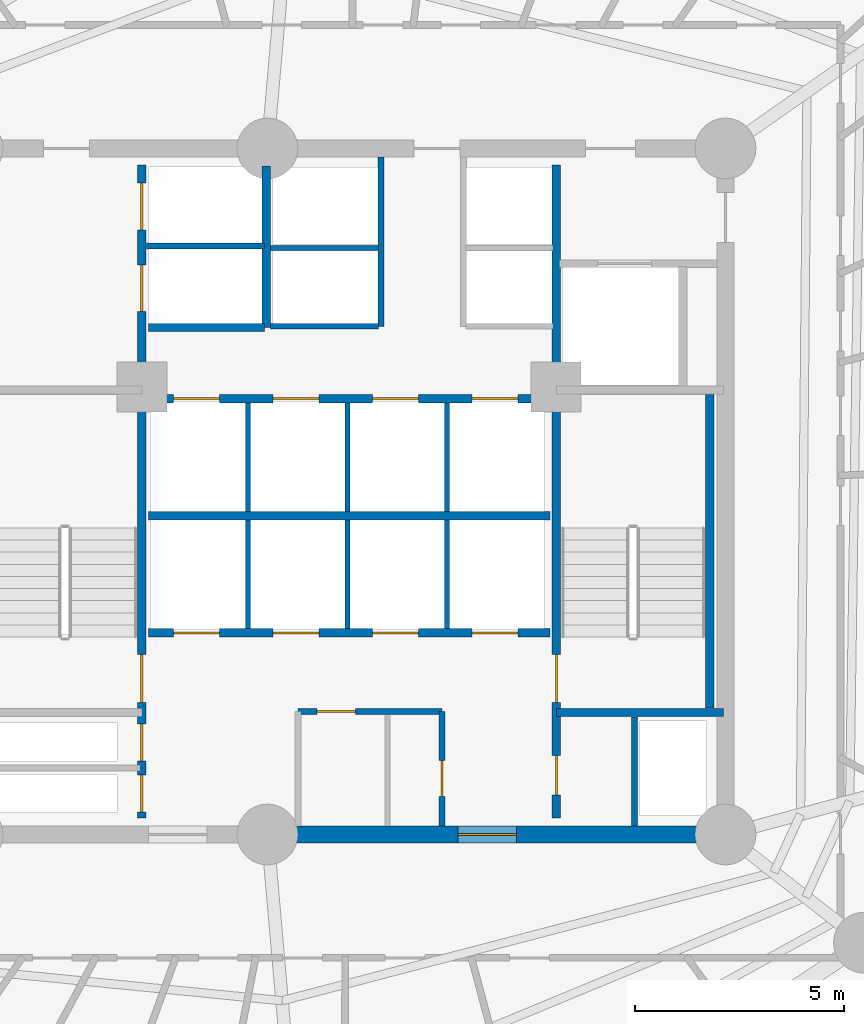
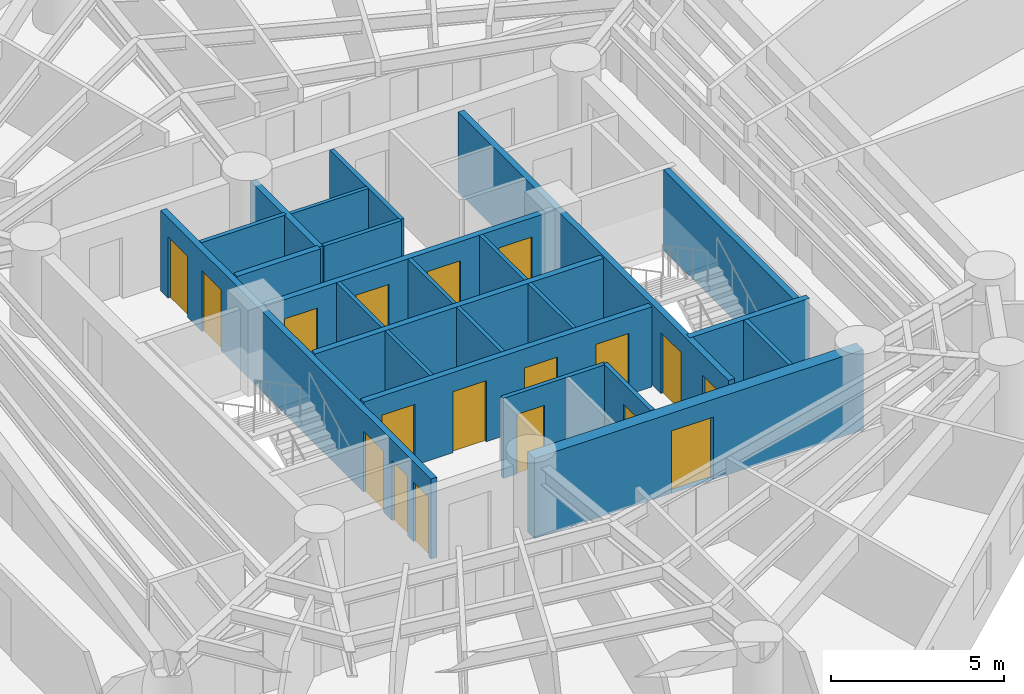
# One storey, part 4 of 8: 23 walls, 18 doors, 18 openings.
"""IFC4 building model written with IfcOpenShell, lengths in metres."""

from ifc_helpers import new_model, si_unit, direction, frame, frame_2d, origin, origin_with_axes, place, context, subcontext, project, spatial, rectangle, extrude, source, transform, mapped, material, layer, layer_set, type_object, element, fill, save


model = new_model("IFC4")

# Units and contexts
model_context = context("Model", 3, precision=1e-05, world=origin(), true_north=direction((0.0, 1.0)))
body_context = subcontext(model_context, "Body", "Model", "MODEL_VIEW")
ifc_project = project(units=[si_unit("LENGTHUNIT", "METRE"), si_unit("AREAUNIT", "SQUARE_METRE"), si_unit("VOLUMEUNIT", "CUBIC_METRE"), si_unit("PLANEANGLEUNIT", "RADIAN"), si_unit("MASSUNIT", "GRAM", prefix="KILO")], contexts=[model_context])

# Site, building, storey
site_placement = place(None, origin())
site = spatial("IfcSite", under=ifc_project, at=site_placement, CompositionType="ELEMENT")
building_placement = place(site_placement, origin())
building = spatial("IfcBuilding", under=site, at=building_placement, Name="Karkom Vertical University and Central Library", CompositionType="ELEMENT")
storey_placement = place(building_placement, frame((0.0, 0.0, 99.25)))
storey = spatial("IfcBuildingStorey", under=building, at=storey_placement, Name="L26", CompositionType="ELEMENT", Elevation=99.25)

# Walls
ifc_material_1 = material(Name="Moisture-resistant drywall 120mm", Category="gypsum")
ifc_layer_1 = layer(ifc_material_1, 0.1201171875)
ifc_layer_set_1 = layer_set([ifc_layer_1], Name="Moisture-resistant drywall 120mm")
wall_type_1 = type_object("IfcWallType", Name="INT-WL-INT-120H", PredefinedType="PARTITIONING", material=ifc_layer_set_1)
for number, where, z_axis, x_axis, name in (
    (1, (26.080078125, 23.219970703125, 0.0), (0.0, 0.0, 1.0), (0.0, 1.0, 0.0), "Level 26 Interior Partition Wall L26-CW-PL-DIV1"),
    (2, (28.4599609375, 23.219970703125, 0.0), (0.0, 0.0, 1.0), (0.0, 1.0, 0.0), "Level 26 Interior Partition Wall L26-CW-PL-DIV2"),
    (3, (30.840087890625, 23.219970703125, 0.0), (0.0, 0.0, 1.0), (0.0, 1.0, 0.0), "Level 26 Interior Partition Wall L26-CW-PL-DIV3"),
    (4, (26.080078125, 26.02001953125, 0.0), (0.0, 0.0, 1.0), (0.0, 1.0, 0.0), "Level 26 Interior Partition Wall L26-CW-PM-DIV1"),
    (5, (28.4599609375, 26.02001953125, 0.0), (0.0, 0.0, 1.0), (0.0, 1.0, 0.0), "Level 26 Interior Partition Wall L26-CW-PM-DIV2"),
    (6, (30.840087890625, 26.02001953125, 0.0), (0.0, 0.0, 1.0), (0.0, 1.0, 0.0), "Level 26 Interior Partition Wall L26-CW-PM-DIV3"),
):
    element("IfcWall", number, at=place(storey_placement, frame(where, z_axis=z_axis, x_axis=x_axis)), inside=storey, type_object=wall_type_1, Name=name, PredefinedType="PARTITIONING", context=body_context, shape_type="SweptSolid", body=[
        extrude(rectangle(XDim=2.60009765625, YDim=0.1201171875, at=frame_2d((1.300048828125, 0.0))), origin(), (0.0, 0.0, 1.0), 2.824951171875),
    ])
wall_1_placement = place(storey_placement, frame((26.6201171875, 32.320068359375, 0.0), z_axis=(0.0, 0.0, 1.0), x_axis=(1.0, 0.0, 0.0)))
element("IfcWall", 7, at=wall_1_placement, inside=storey, type_object=wall_type_1, Name="Level 26 Interior Partition Wall L26-CW-PH-MW", PredefinedType="PARTITIONING", context=body_context, shape_type="SweptSolid", body=[
    extrude(rectangle(XDim=2.579833984375, YDim=0.1201171875, at=frame_2d((1.2900390625, 0.0))), origin(), (0.0, 0.0, 1.0), 2.824951171875),
])

# Wall, opening, door
ifc_material_2 = material(Name="Metal-stud gypsum partition 140mm", Category="gypsum")
ifc_layer_2 = layer(ifc_material_2, 0.139892578125)
ifc_layer_set_2 = layer_set([ifc_layer_2], Name="Metal-stud gypsum partition 140mm")
wall_type_2 = type_object("IfcWallType", Name="INT-WL-SUB-140", PredefinedType="PARTITIONING", material=ifc_layer_set_2)
wall_2_placement = place(storey_placement, frame((27.280029296875, 21.239990234375, 0.0), z_axis=(0.0, 0.0, 1.0), x_axis=(1.0, 0.0, 0.0)))
wall_2 = element("IfcWall", 8, at=wall_2_placement, inside=storey, type_object=wall_type_2, Name="Level 26 Interior Partition Wall L26-CW-KBAY-N", PredefinedType="PARTITIONING", context=body_context, shape_type="SweptSolid", body=[
    extrude(rectangle(XDim=3.43994140625, YDim=0.139892578125, at=frame_2d((1.719970703125, 0.0))), origin(), (0.0, 0.0, 1.0), 2.824951171875),
])
opening_1_placement = place(wall_2_placement, frame((0.449951171875, 0.0, 0.0)))
opening_1 = element("IfcOpeningElement", 9, at=opening_1_placement, cuts=wall_2, Name="Opening D-SVC1", PredefinedType="OPENING", context=body_context, shape_type="SweptSolid", body=[
    extrude(rectangle(XDim=0.919921875, YDim=2.10009765625, at=frame_2d((0.4599609375, 1.050048828125))), frame((0.0, 0.080078125, 0.0), z_axis=(0.0, -1.0, 0.0), x_axis=(1.0, 0.0, 0.0)), (0.0, 0.0, 1.0), 0.159912109375),
])
ifc_material_3 = material(Name="Painted timber service door", Category="wood")
door_type_1 = type_object("IfcDoorType", Name="INT-DR-SVC1", OperationType="NOTDEFINED", PredefinedType="DOOR", material=ifc_material_3)
shared_shape_1 = source(origin_with_axes(), body_context, "Body", "SweptSolid", [
    extrude(rectangle(XDim=0.919921875, YDim=2.10009765625, at=frame_2d((0.4599609375, 1.050048828125))), frame((0.0, 0.02490234375, 0.0), z_axis=(0.0, -1.0, 0.0), x_axis=(1.0, 0.0, 0.0)), (0.0, 0.0, 1.0), 0.050048828125),
])
door_1_placement = place(opening_1_placement, origin())
door_1 = element("IfcDoor", 10, at=door_1_placement, inside=storey, type_object=door_type_1, Name="Level 26 Copy Room Door", OperationType="SINGLE_SWING_RIGHT", OverallHeight=2.10009765625, OverallWidth=0.919921875, PredefinedType="DOOR", context=body_context, shape_type="MappedRepresentation", body=[
    mapped(shared_shape_1, transform((0.0, 0.0, 0.0), scale=1.0)),
])
fill(opening_1, door_1)

wall_3_placement = place(storey_placement, frame((30.719970703125, 18.507080078125, 0.0), z_axis=(0.0, 0.0, 1.0), x_axis=(0.0, 1.0, 0.0)))
wall_3 = element("IfcWall", 11, at=wall_3_placement, inside=storey, type_object=wall_type_2, Name="Level 26 Interior Partition Wall L26-CW-KBAY-E", PredefinedType="PARTITIONING", context=body_context, shape_type="SweptSolid", body=[
    extrude(rectangle(XDim=2.73291015625, YDim=0.139892578125, at=frame_2d((1.366455078125, 0.0))), origin(), (0.0, 0.0, 1.0), 2.824951171875),
])
opening_2_placement = place(wall_3_placement, frame((0.699951171875, 0.0, 0.0)))
opening_2 = element("IfcOpeningElement", 12, at=opening_2_placement, cuts=wall_3, Name="Opening D-BATH", PredefinedType="OPENING", context=body_context, shape_type="SweptSolid", body=[
    extrude(rectangle(XDim=0.860107421875, YDim=2.10009765625, at=frame_2d((0.43017578125, 1.050048828125))), frame((0.0, 0.080078125, 0.0), z_axis=(0.0, -1.0, 0.0), x_axis=(1.0, 0.0, 0.0)), (0.0, 0.0, 1.0), 0.159912109375),
])
ifc_material_4 = material(Name="Moisture-resistant oak door", Category="wood")
door_type_2 = type_object("IfcDoorType", Name="INT-DR-BATH", OperationType="NOTDEFINED", PredefinedType="DOOR", material=ifc_material_4)
shared_shape_2 = source(origin_with_axes(), body_context, "Body", "SweptSolid", [
    extrude(rectangle(XDim=0.860107421875, YDim=2.10009765625, at=frame_2d((0.43017578125, 1.050048828125))), frame((0.0, 0.02490234375, 0.0), z_axis=(0.0, -1.0, 0.0), x_axis=(1.0, 0.0, 0.0)), (0.0, 0.0, 1.0), 0.050048828125),
])
door_2_placement = place(opening_2_placement, origin())
door_2 = element("IfcDoor", 13, at=door_2_placement, inside=storey, type_object=door_type_2, Name="Level 26 Janitor Door", OperationType="SINGLE_SWING_LEFT", OverallHeight=2.10009765625, OverallWidth=0.860107421875, PredefinedType="DOOR", context=body_context, shape_type="MappedRepresentation", body=[
    mapped(shared_shape_2, transform((0.0, 0.0, 0.0), scale=1.0)),
])
fill(opening_2, door_2)

# Walls
ifc_layer_3 = layer(ifc_material_2, 0.139892578125)
ifc_layer_set_3 = layer_set([ifc_layer_3], Name="Metal-stud gypsum partition 140mm")
wall_type_3 = type_object("IfcWallType", Name="INT-WL-SUB-140H", PredefinedType="PARTITIONING", material=ifc_layer_set_3)
wall_4_placement = place(storey_placement, frame((29.260009765625, 30.449951171875, 0.0), z_axis=(0.0, 0.0, 1.0), x_axis=(0.0, 1.0, 0.0)))
element("IfcWall", 14, at=wall_4_placement, inside=storey, type_object=wall_type_3, Name="Level 26 Interior Partition Wall L26-CW-PH-W", PredefinedType="PARTITIONING", context=body_context, shape_type="SweptSolid", body=[
    extrude(rectangle(XDim=4.04296875, YDim=0.139892578125, at=frame_2d((2.021484375, 0.0))), origin(), (0.0, 0.0, 1.0), 2.824951171875),
])
wall_5_placement = place(storey_placement, frame((26.6201171875, 30.449951171875, 0.0), z_axis=(0.0, 0.0, 1.0), x_axis=(1.0, 0.0, 0.0)))
element("IfcWall", 15, at=wall_5_placement, inside=storey, type_object=wall_type_3, Name="Level 26 Interior Partition Wall L26-CW-PH-S1", PredefinedType="PARTITIONING", context=body_context, shape_type="SweptSolid", body=[
    extrude(rectangle(XDim=2.579833984375, YDim=0.139892578125, at=frame_2d((1.2900390625, 0.0))), origin(), (0.0, 0.0, 1.0), 2.824951171875),
])
wall_6_placement = place(storey_placement, frame((35.320068359375, 18.507080078125, 0.0), z_axis=(0.0, 0.0, 1.0), x_axis=(0.0, 1.0, 0.0)))
element("IfcWall", 16, at=wall_6_placement, inside=storey, type_object=wall_type_3, Name="Level 26 Interior Partition Wall L26-CW-RIS-E", PredefinedType="PARTITIONING", context=body_context, shape_type="SweptSolid", body=[
    extrude(rectangle(XDim=2.603759765625, YDim=0.139892578125, at=frame_2d((1.3017578125, 0.0))), origin(), (0.0, 0.0, 1.0), 2.824951171875),
])
ifc_layer_4 = layer(ifc_material_2, 0.139892578125)
ifc_layer_set_4 = layer_set([ifc_layer_4], Name="Metal-stud gypsum partition 140mm")
wall_type_4 = type_object("IfcWallType", Name="INT-WL-SUB-140X", PredefinedType="PARTITIONING", material=ifc_layer_set_4)
wall_7_placement = place(storey_placement, frame((23.652099609375, 32.3701171875, 0.0), z_axis=(0.0, 0.0, 1.0), x_axis=(1.0, 0.0, 0.0)))
element("IfcWall", 17, at=wall_7_placement, inside=storey, type_object=wall_type_4, Name="Level 26 Interior Partition Wall L26-CW-FFL-M", PredefinedType="PARTITIONING", context=body_context, shape_type="SweptSolid", body=[
    extrude(rectangle(XDim=2.827880859375, YDim=0.139892578125, at=frame_2d((1.4140625, 0.0))), origin(), (0.0, 0.0, 1.0), 2.824951171875),
])

# Wall, opening, door
ifc_material_5 = material(Name="Concrete C50/60", Category="concrete")
ifc_layer_5 = layer(ifc_material_5, 0.39990234375)
ifc_layer_set_5 = layer_set([ifc_layer_5], Name="Concrete C50/60")
wall_type_5 = type_object("IfcWallType", Name="STR-WL-CW-400", PredefinedType="SHEAR", material=ifc_layer_set_5)
wall_8_placement = place(storey_placement, frame((26.550048828125, 18.300048828125, 0.0), z_axis=(0.0, 0.0, 1.0), x_axis=(1.0, 0.0, 0.0)))
wall_8 = element("IfcWall", 18, at=wall_8_placement, inside=storey, type_object=wall_type_5, Name="Level 26 Central Core Shear Wall SW2", PredefinedType="SHEAR", context=body_context, shape_type="SweptSolid", body=[
    extrude(rectangle(XDim=10.949951171875, YDim=0.39990234375, at=frame_2d((5.47509765625, 0.0))), origin(), (0.0, 0.0, 1.0), 2.824951171875),
])
opening_3_placement = place(wall_8_placement, frame((4.550048828125, 0.0, 0.0)))
opening_3 = element("IfcOpeningElement", 19, at=opening_3_placement, cuts=wall_8, Name="Opening FD-CLB", PredefinedType="OPENING", context=body_context, shape_type="SweptSolid", body=[
    extrude(rectangle(XDim=1.39990234375, YDim=2.199951171875, at=frame_2d((0.699951171875, 1.10009765625))), frame((0.0, 0.2099609375, 0.0), z_axis=(0.0, -1.0, 0.0), x_axis=(1.0, 0.0, 0.0)), (0.0, 0.0, 1.0), 0.419921875),
])
ifc_material_6 = material(Name="Painted steel fire door", Category="steel")
door_type_3 = type_object("IfcDoorType", Name="INT-DR-CLB", OperationType="DOUBLE_DOOR_SINGLE_SWING", PredefinedType="DOOR", material=ifc_material_6)
shared_shape_3 = source(origin_with_axes(), body_context, "Body", "SweptSolid", [
    extrude(rectangle(XDim=1.39990234375, YDim=2.199951171875, at=frame_2d((0.699951171875, 1.10009765625))), frame((0.0, 0.02490234375, 0.0), z_axis=(0.0, -1.0, 0.0), x_axis=(1.0, 0.0, 0.0)), (0.0, 0.0, 1.0), 0.050048828125),
])
door_3_placement = place(opening_3_placement, origin())
door_3 = element("IfcDoor", 20, at=door_3_placement, inside=storey, type_object=door_type_3, Name="Level 26 South Core Lobby East Exit Door", OperationType="DOUBLE_DOOR_SINGLE_SWING", OverallHeight=2.199951171875, OverallWidth=1.39990234375, PredefinedType="DOOR", context=body_context, shape_type="MappedRepresentation", body=[
    mapped(shared_shape_3, transform((0.0, 0.0, 0.0), scale=1.0)),
])
fill(opening_3, door_3)

# Wall, openings, doors
ifc_material_7 = material(Name="Concrete C45/55", Category="concrete")
ifc_layer_6 = layer(ifc_material_7, 0.199951171875)
ifc_layer_set_6 = layer_set([ifc_layer_6], Name="Concrete C45/55")
wall_type_6 = type_object("IfcWallType", Name="STR-WL-ST-200", PredefinedType="SHEAR", material=ifc_layer_set_6)
wall_9_placement = place(storey_placement, frame((23.544921875, 18.699951171875, 0.0), z_axis=(0.0, 0.0, 1.0), x_axis=(0.0, 1.0, 0.0)))
wall_9 = element("IfcWall", 21, at=wall_9_placement, inside=storey, type_object=wall_type_6, Name="Level 26 Core Shaft Wall L26-CW-ST1-E", PredefinedType="SHEAR", context=body_context, shape_type="SweptSolid", body=[
    extrude(rectangle(XDim=15.60009765625, YDim=0.199951171875, at=frame_2d((7.800048828125, 0.0))), origin(), (0.0, 0.0, 1.0), 2.824951171875),
])
opening_4_placement = place(wall_9_placement, frame((2.75, 0.0, 0.0)))
opening_4 = element("IfcOpeningElement", 22, at=opening_4_placement, cuts=wall_9, Name="Opening FD-ST1", PredefinedType="OPENING", context=body_context, shape_type="SweptSolid", body=[
    extrude(rectangle(XDim=1.14990234375, YDim=2.14990234375, at=frame_2d((0.574951171875, 1.074951171875))), frame((0.0, 0.10986328125, 0.0), z_axis=(0.0, -1.0, 0.0), x_axis=(1.0, 0.0, 0.0)), (0.0, 0.0, 1.0), 0.219970703125),
])
opening_5_placement = place(wall_9_placement, frame((0.139892578125, 0.0, 0.0)))
opening_5 = element("IfcOpeningElement", 23, at=opening_5_placement, cuts=wall_9, Name="Opening FD-RIS", PredefinedType="OPENING", context=body_context, shape_type="SweptSolid", body=[
    extrude(rectangle(XDim=0.8798828125, YDim=2.10009765625, at=frame_2d((0.43994140625, 1.050048828125))), frame((0.0, 0.10986328125, 0.0), z_axis=(0.0, -1.0, 0.0), x_axis=(1.0, 0.0, 0.0)), (0.0, 0.0, 1.0), 0.219970703125),
])
opening_6_placement = place(wall_9_placement, frame((1.360107421875, 0.0, 0.0)))
opening_6 = element("IfcOpeningElement", 24, at=opening_6_placement, cuts=wall_9, Name="Opening FD-RIS", PredefinedType="OPENING", context=body_context, shape_type="SweptSolid", body=[
    extrude(rectangle(XDim=0.8798828125, YDim=2.10009765625, at=frame_2d((0.43994140625, 1.050048828125))), frame((0.0, 0.10986328125, 0.0), z_axis=(0.0, -1.0, 0.0), x_axis=(1.0, 0.0, 0.0)), (0.0, 0.0, 1.0), 0.219970703125),
])
opening_7_placement = place(wall_9_placement, frame((12.10009765625, 0.0, 0.0)))
opening_7 = element("IfcOpeningElement", 25, at=opening_7_placement, cuts=wall_9, Name="Opening LD-FFL", PredefinedType="OPENING", context=body_context, shape_type="SweptSolid", body=[
    extrude(rectangle(XDim=1.1201171875, YDim=2.14990234375, at=frame_2d((0.56005859375, 1.074951171875))), frame((0.0, 0.10986328125, 0.0), z_axis=(0.0, -1.0, 0.0), x_axis=(1.0, 0.0, 0.0)), (0.0, 0.0, 1.0), 0.219970703125),
])
opening_8_placement = place(wall_9_placement, frame((14.050048828125, 0.0, 0.0)))
opening_8 = element("IfcOpeningElement", 26, at=opening_8_placement, cuts=wall_9, Name="Opening LD-FFL", PredefinedType="OPENING", context=body_context, shape_type="SweptSolid", body=[
    extrude(rectangle(XDim=1.1201171875, YDim=2.14990234375, at=frame_2d((0.56005859375, 1.074951171875))), frame((0.0, 0.10986328125, 0.0), z_axis=(0.0, -1.0, 0.0), x_axis=(1.0, 0.0, 0.0)), (0.0, 0.0, 1.0), 0.219970703125),
])
ifc_material_8 = material(Name="Painted steel acoustic fire door", Category="steel")
door_type_4 = type_object("IfcDoorType", Name="INT-DR-ST1", OperationType="NOTDEFINED", PredefinedType="DOOR", material=ifc_material_8)
shared_shape_4 = source(origin_with_axes(), body_context, "Body", "SweptSolid", [
    extrude(rectangle(XDim=1.14990234375, YDim=2.14990234375, at=frame_2d((0.574951171875, 1.074951171875))), frame((0.0, 0.02490234375, 0.0), z_axis=(0.0, -1.0, 0.0), x_axis=(1.0, 0.0, 0.0)), (0.0, 0.0, 1.0), 0.050048828125),
])
door_4_placement = place(opening_4_placement, origin())
door_4 = element("IfcDoor", 27, at=door_4_placement, inside=storey, type_object=door_type_4, Name="Level 26 Stair ST-1 Fire Door", OperationType="SINGLE_SWING_LEFT", OverallHeight=2.14990234375, OverallWidth=1.14990234375, PredefinedType="DOOR", context=body_context, shape_type="MappedRepresentation", body=[
    mapped(shared_shape_4, transform((0.0, 0.0, 0.0), scale=1.0)),
])
fill(opening_4, door_4)
ifc_material_9 = material(Name="Painted steel riser access door", Category="steel")
door_type_5 = type_object("IfcDoorType", Name="INT-DR-RIS", OperationType="NOTDEFINED", PredefinedType="DOOR", material=ifc_material_9)
shared_shape_5 = source(origin_with_axes(), body_context, "Body", "SweptSolid", [
    extrude(rectangle(XDim=0.8798828125, YDim=2.10009765625, at=frame_2d((0.43994140625, 1.050048828125))), frame((0.0, 0.02490234375, 0.0), z_axis=(0.0, -1.0, 0.0), x_axis=(1.0, 0.0, 0.0)), (0.0, 0.0, 1.0), 0.050048828125),
])
door_5_placement = place(opening_5_placement, origin())
door_5 = element("IfcDoor", 28, at=door_5_placement, inside=storey, type_object=door_type_5, Name="Level 26 Electrical Riser Access Door", OperationType="SINGLE_SWING_LEFT", OverallHeight=2.10009765625, OverallWidth=0.8798828125, PredefinedType="DOOR", context=body_context, shape_type="MappedRepresentation", body=[
    mapped(shared_shape_5, transform((0.0, 0.0, 0.0), scale=1.0)),
])
fill(opening_5, door_5)
door_6_placement = place(opening_6_placement, origin())
door_6 = element("IfcDoor", 29, at=door_6_placement, inside=storey, type_object=door_type_5, Name="Level 26 Telecom Riser Access Door", OperationType="SINGLE_SWING_RIGHT", OverallHeight=2.10009765625, OverallWidth=0.8798828125, PredefinedType="DOOR", context=body_context, shape_type="MappedRepresentation", body=[
    mapped(shared_shape_5, transform((0.0, 0.0, 0.0), scale=1.0)),
])
fill(opening_6, door_6)
ifc_material_10 = material(Name="Fire-rated stainless-steel landing door", Category="steel")
door_type_6 = type_object("IfcDoorType", Name="INT-DR-LD-FFL", OperationType="SLIDING_TO_LEFT", PredefinedType="DOOR", material=ifc_material_10)
shared_shape_6 = source(origin_with_axes(), body_context, "Body", "SweptSolid", [
    extrude(rectangle(XDim=1.1201171875, YDim=2.14990234375, at=frame_2d((0.56005859375, 1.074951171875))), frame((0.0, 0.02490234375, 0.0), z_axis=(0.0, -1.0, 0.0), x_axis=(1.0, 0.0, 0.0)), (0.0, 0.0, 1.0), 0.050048828125),
])
door_7_placement = place(opening_7_placement, origin())
door_7 = element("IfcDoor", 30, at=door_7_placement, inside=storey, type_object=door_type_6, Name="Level 26 Firefighting Lift FFL-1 Landing Door", OperationType="SLIDING_TO_LEFT", OverallHeight=2.14990234375, OverallWidth=1.1201171875, PredefinedType="DOOR", context=body_context, shape_type="MappedRepresentation", body=[
    mapped(shared_shape_6, transform((0.0, 0.0, 0.0), scale=1.0)),
])
fill(opening_7, door_7)
door_8_placement = place(opening_8_placement, origin())
door_8 = element("IfcDoor", 31, at=door_8_placement, inside=storey, type_object=door_type_6, Name="Level 26 Firefighting Lift FFL-2 Landing Door", OperationType="SLIDING_TO_RIGHT", OverallHeight=2.14990234375, OverallWidth=1.1201171875, PredefinedType="DOOR", context=body_context, shape_type="MappedRepresentation", body=[
    mapped(shared_shape_6, transform((0.0, 0.0, 0.0), scale=1.0)),
])
fill(opening_8, door_8)

wall_10_placement = place(storey_placement, frame((33.455078125, 18.699951171875, 0.0), z_axis=(0.0, 0.0, 1.0), x_axis=(0.0, 1.0, 0.0)))
wall_10 = element("IfcWall", 32, at=wall_10_placement, inside=storey, type_object=wall_type_6, Name="Level 26 Core Shaft Wall L26-CW-ST2-W", PredefinedType="SHEAR", context=body_context, shape_type="SweptSolid", body=[
    extrude(rectangle(XDim=15.60009765625, YDim=0.199951171875, at=frame_2d((7.800048828125, 0.0))), origin(), (0.0, 0.0, 1.0), 2.824951171875),
])
opening_9_placement = place(wall_10_placement, frame((2.75, 0.0, 0.0)))
opening_9 = element("IfcOpeningElement", 33, at=opening_9_placement, cuts=wall_10, Name="Opening FD-ST1", PredefinedType="OPENING", context=body_context, shape_type="SweptSolid", body=[
    extrude(rectangle(XDim=1.14990234375, YDim=2.14990234375, at=frame_2d((0.574951171875, 1.074951171875))), frame((0.0, 0.10986328125, 0.0), z_axis=(0.0, -1.0, 0.0), x_axis=(1.0, 0.0, 0.0)), (0.0, 0.0, 1.0), 0.219970703125),
])
opening_10_placement = place(wall_10_placement, frame((0.550048828125, 0.0, 0.0)))
opening_10 = element("IfcOpeningElement", 34, at=opening_10_placement, cuts=wall_10, Name="Opening D-WC1", PredefinedType="OPENING", context=body_context, shape_type="SweptSolid", body=[
    extrude(rectangle(XDim=0.93994140625, YDim=2.10009765625, at=frame_2d((0.469970703125, 1.050048828125))), frame((0.0, 0.10986328125, 0.0), z_axis=(0.0, -1.0, 0.0), x_axis=(1.0, 0.0, 0.0)), (0.0, 0.0, 1.0), 0.219970703125),
])
door_9_placement = place(opening_9_placement, origin())
door_9 = element("IfcDoor", 35, at=door_9_placement, inside=storey, type_object=door_type_4, Name="Level 26 Stair ST-2 Fire Door", OperationType="SINGLE_SWING_RIGHT", OverallHeight=2.14990234375, OverallWidth=1.14990234375, PredefinedType="DOOR", context=body_context, shape_type="MappedRepresentation", body=[
    mapped(shared_shape_4, transform((0.0, 0.0, 0.0), scale=1.0)),
])
fill(opening_9, door_9)
ifc_material_11 = material(Name="Fire-rated laminate moisture-resistant door", Category="wood")
door_type_7 = type_object("IfcDoorType", Name="INT-DR-WC1", OperationType="NOTDEFINED", PredefinedType="DOOR", material=ifc_material_11)
shared_shape_7 = source(origin_with_axes(), body_context, "Body", "SweptSolid", [
    extrude(rectangle(XDim=0.93994140625, YDim=2.10009765625, at=frame_2d((0.469970703125, 1.050048828125))), frame((0.0, 0.02490234375, 0.0), z_axis=(0.0, -1.0, 0.0), x_axis=(1.0, 0.0, 0.0)), (0.0, 0.0, 1.0), 0.050048828125),
])
door_10_placement = place(opening_10_placement, origin())
door_10 = element("IfcDoor", 36, at=door_10_placement, inside=storey, type_object=door_type_7, Name="Level 26 Accessible WC Door", OperationType="SINGLE_SWING_LEFT", OverallHeight=2.10009765625, OverallWidth=0.93994140625, PredefinedType="DOOR", context=body_context, shape_type="MappedRepresentation", body=[
    mapped(shared_shape_7, transform((0.0, 0.0, 0.0), scale=1.0)),
])
fill(opening_10, door_10)

wall_11_placement = place(storey_placement, frame((23.699951171875, 23.1201171875, 0.0), z_axis=(0.0, 0.0, 1.0), x_axis=(1.0, 0.0, 0.0)))
wall_11 = element("IfcWall", 37, at=wall_11_placement, inside=storey, type_object=wall_type_6, Name="Level 26 Core Shaft Wall L26-CW-B1-S", PredefinedType="SHEAR", context=body_context, shape_type="SweptSolid", body=[
    extrude(rectangle(XDim=9.60009765625, YDim=0.199951171875, at=frame_2d((4.800048828125, 0.0))), origin(), (0.0, 0.0, 1.0), 2.824951171875),
])
opening_11_placement = place(wall_11_placement, frame((0.60009765625, 0.0, 0.0)))
opening_11 = element("IfcOpeningElement", 38, at=opening_11_placement, cuts=wall_11, Name="Opening LD-PAX", PredefinedType="OPENING", context=body_context, shape_type="SweptSolid", body=[
    extrude(rectangle(XDim=1.10009765625, YDim=2.14990234375, at=frame_2d((0.550048828125, 1.074951171875))), frame((0.0, 0.10986328125, 0.0), z_axis=(0.0, -1.0, 0.0), x_axis=(1.0, 0.0, 0.0)), (0.0, 0.0, 1.0), 0.219970703125),
])
opening_12_placement = place(wall_11_placement, frame((2.97998046875, 0.0, 0.0)))
opening_12 = element("IfcOpeningElement", 39, at=opening_12_placement, cuts=wall_11, Name="Opening LD-PAX", PredefinedType="OPENING", context=body_context, shape_type="SweptSolid", body=[
    extrude(rectangle(XDim=1.10009765625, YDim=2.14990234375, at=frame_2d((0.550048828125, 1.074951171875))), frame((0.0, 0.10986328125, 0.0), z_axis=(0.0, -1.0, 0.0), x_axis=(1.0, 0.0, 0.0)), (0.0, 0.0, 1.0), 0.219970703125),
])
opening_13_placement = place(wall_11_placement, frame((5.360107421875, 0.0, 0.0)))
opening_13 = element("IfcOpeningElement", 40, at=opening_13_placement, cuts=wall_11, Name="Opening LD-PAX", PredefinedType="OPENING", context=body_context, shape_type="SweptSolid", body=[
    extrude(rectangle(XDim=1.10009765625, YDim=2.14990234375, at=frame_2d((0.550048828125, 1.074951171875))), frame((0.0, 0.10986328125, 0.0), z_axis=(0.0, -1.0, 0.0), x_axis=(1.0, 0.0, 0.0)), (0.0, 0.0, 1.0), 0.219970703125),
])
opening_14_placement = place(wall_11_placement, frame((7.739990234375, 0.0, 0.0)))
opening_14 = element("IfcOpeningElement", 41, at=opening_14_placement, cuts=wall_11, Name="Opening LD-PAX", PredefinedType="OPENING", context=body_context, shape_type="SweptSolid", body=[
    extrude(rectangle(XDim=1.10009765625, YDim=2.14990234375, at=frame_2d((0.550048828125, 1.074951171875))), frame((0.0, 0.10986328125, 0.0), z_axis=(0.0, -1.0, 0.0), x_axis=(1.0, 0.0, 0.0)), (0.0, 0.0, 1.0), 0.219970703125),
])
ifc_material_12 = material(Name="Brushed stainless-steel landing door", Category="steel")
door_type_8 = type_object("IfcDoorType", Name="INT-DR-LD-PAX", OperationType="SLIDING_TO_LEFT", PredefinedType="DOOR", material=ifc_material_12)
shared_shape_8 = source(origin_with_axes(), body_context, "Body", "SweptSolid", [
    extrude(rectangle(XDim=1.10009765625, YDim=2.14990234375, at=frame_2d((0.550048828125, 1.074951171875))), frame((0.0, 0.02490234375, 0.0), z_axis=(0.0, -1.0, 0.0), x_axis=(1.0, 0.0, 0.0)), (0.0, 0.0, 1.0), 0.050048828125),
])
door_11_placement = place(opening_11_placement, origin())
door_11 = element("IfcDoor", 42, at=door_11_placement, inside=storey, type_object=door_type_8, Name="Level 26 Lift PL-1 Landing Door", OperationType="SLIDING_TO_LEFT", OverallHeight=2.14990234375, OverallWidth=1.10009765625, PredefinedType="DOOR", context=body_context, shape_type="MappedRepresentation", body=[
    mapped(shared_shape_8, transform((0.0, 0.0, 0.0), scale=1.0)),
])
fill(opening_11, door_11)
door_12_placement = place(opening_12_placement, origin())
door_12 = element("IfcDoor", 43, at=door_12_placement, inside=storey, type_object=door_type_8, Name="Level 26 Lift PL-2 Landing Door", OperationType="SLIDING_TO_RIGHT", OverallHeight=2.14990234375, OverallWidth=1.10009765625, PredefinedType="DOOR", context=body_context, shape_type="MappedRepresentation", body=[
    mapped(shared_shape_8, transform((0.0, 0.0, 0.0), scale=1.0)),
])
fill(opening_12, door_12)
door_13_placement = place(opening_13_placement, origin())
door_13 = element("IfcDoor", 44, at=door_13_placement, inside=storey, type_object=door_type_8, Name="Level 26 Lift PL-3 Landing Door", OperationType="SLIDING_TO_LEFT", OverallHeight=2.14990234375, OverallWidth=1.10009765625, PredefinedType="DOOR", context=body_context, shape_type="MappedRepresentation", body=[
    mapped(shared_shape_8, transform((0.0, 0.0, 0.0), scale=1.0)),
])
fill(opening_13, door_13)
door_14_placement = place(opening_14_placement, origin())
door_14 = element("IfcDoor", 45, at=door_14_placement, inside=storey, type_object=door_type_8, Name="Level 26 Lift PL-4 Landing Door", OperationType="SLIDING_TO_RIGHT", OverallHeight=2.14990234375, OverallWidth=1.10009765625, PredefinedType="DOOR", context=body_context, shape_type="MappedRepresentation", body=[
    mapped(shared_shape_8, transform((0.0, 0.0, 0.0), scale=1.0)),
])
fill(opening_14, door_14)

# Wall
wall_12_placement = place(storey_placement, frame((23.699951171875, 25.919921875, 0.0), z_axis=(0.0, 0.0, 1.0), x_axis=(1.0, 0.0, 0.0)))
element("IfcWall", 46, at=wall_12_placement, inside=storey, type_object=wall_type_6, Name="Level 26 Core Shaft Wall L26-CW-B1-N", PredefinedType="SHEAR", context=body_context, shape_type="SweptSolid", body=[
    extrude(rectangle(XDim=9.60009765625, YDim=0.199951171875, at=frame_2d((4.800048828125, 0.0))), origin(), (0.0, 0.0, 1.0), 2.824951171875),
])

# Wall, openings, doors
wall_13_placement = place(storey_placement, frame((23.699951171875, 28.719970703125, 0.0), z_axis=(0.0, 0.0, 1.0), x_axis=(1.0, 0.0, 0.0)))
wall_13 = element("IfcWall", 47, at=wall_13_placement, inside=storey, type_object=wall_type_6, Name="Level 26 Core Shaft Wall L26-CW-B2-N", PredefinedType="SHEAR", context=body_context, shape_type="SweptSolid", body=[
    extrude(rectangle(XDim=9.60009765625, YDim=0.199951171875, at=frame_2d((4.800048828125, 0.0))), origin(), (0.0, 0.0, 1.0), 2.824951171875),
])
opening_15_placement = place(wall_13_placement, frame((0.60009765625, 0.0, 0.0)))
opening_15 = element("IfcOpeningElement", 48, at=opening_15_placement, cuts=wall_13, Name="Opening LD-PAX", PredefinedType="OPENING", context=body_context, shape_type="SweptSolid", body=[
    extrude(rectangle(XDim=1.10009765625, YDim=2.14990234375, at=frame_2d((0.550048828125, 1.074951171875))), frame((0.0, 0.10986328125, 0.0), z_axis=(0.0, -1.0, 0.0), x_axis=(1.0, 0.0, 0.0)), (0.0, 0.0, 1.0), 0.219970703125),
])
opening_16_placement = place(wall_13_placement, frame((2.97998046875, 0.0, 0.0)))
opening_16 = element("IfcOpeningElement", 49, at=opening_16_placement, cuts=wall_13, Name="Opening LD-PAX", PredefinedType="OPENING", context=body_context, shape_type="SweptSolid", body=[
    extrude(rectangle(XDim=1.10009765625, YDim=2.14990234375, at=frame_2d((0.550048828125, 1.074951171875))), frame((0.0, 0.10986328125, 0.0), z_axis=(0.0, -1.0, 0.0), x_axis=(1.0, 0.0, 0.0)), (0.0, 0.0, 1.0), 0.219970703125),
])
opening_17_placement = place(wall_13_placement, frame((5.360107421875, 0.0, 0.0)))
opening_17 = element("IfcOpeningElement", 50, at=opening_17_placement, cuts=wall_13, Name="Opening LD-PAX", PredefinedType="OPENING", context=body_context, shape_type="SweptSolid", body=[
    extrude(rectangle(XDim=1.10009765625, YDim=2.14990234375, at=frame_2d((0.550048828125, 1.074951171875))), frame((0.0, 0.10986328125, 0.0), z_axis=(0.0, -1.0, 0.0), x_axis=(1.0, 0.0, 0.0)), (0.0, 0.0, 1.0), 0.219970703125),
])
opening_18_placement = place(wall_13_placement, frame((7.739990234375, 0.0, 0.0)))
opening_18 = element("IfcOpeningElement", 51, at=opening_18_placement, cuts=wall_13, Name="Opening LD-PAX", PredefinedType="OPENING", context=body_context, shape_type="SweptSolid", body=[
    extrude(rectangle(XDim=1.10009765625, YDim=2.14990234375, at=frame_2d((0.550048828125, 1.074951171875))), frame((0.0, 0.10986328125, 0.0), z_axis=(0.0, -1.0, 0.0), x_axis=(1.0, 0.0, 0.0)), (0.0, 0.0, 1.0), 0.219970703125),
])
door_15_placement = place(opening_15_placement, origin())
door_15 = element("IfcDoor", 52, at=door_15_placement, inside=storey, type_object=door_type_8, Name="Level 26 Lift PM-1 Landing Door", OperationType="SLIDING_TO_LEFT", OverallHeight=2.14990234375, OverallWidth=1.10009765625, PredefinedType="DOOR", context=body_context, shape_type="MappedRepresentation", body=[
    mapped(shared_shape_8, transform((0.0, 0.0, 0.0), scale=1.0)),
])
fill(opening_15, door_15)
door_16_placement = place(opening_16_placement, origin())
door_16 = element("IfcDoor", 53, at=door_16_placement, inside=storey, type_object=door_type_8, Name="Level 26 Lift PM-2 Landing Door", OperationType="SLIDING_TO_RIGHT", OverallHeight=2.14990234375, OverallWidth=1.10009765625, PredefinedType="DOOR", context=body_context, shape_type="MappedRepresentation", body=[
    mapped(shared_shape_8, transform((0.0, 0.0, 0.0), scale=1.0)),
])
fill(opening_16, door_16)
door_17_placement = place(opening_17_placement, origin())
door_17 = element("IfcDoor", 54, at=door_17_placement, inside=storey, type_object=door_type_8, Name="Level 26 Lift PM-3 Landing Door", OperationType="SLIDING_TO_LEFT", OverallHeight=2.14990234375, OverallWidth=1.10009765625, PredefinedType="DOOR", context=body_context, shape_type="MappedRepresentation", body=[
    mapped(shared_shape_8, transform((0.0, 0.0, 0.0), scale=1.0)),
])
fill(opening_17, door_17)
door_18_placement = place(opening_18_placement, origin())
door_18 = element("IfcDoor", 55, at=door_18_placement, inside=storey, type_object=door_type_8, Name="Level 26 Lift PM-4 Landing Door", OperationType="SLIDING_TO_RIGHT", OverallHeight=2.14990234375, OverallWidth=1.10009765625, PredefinedType="DOOR", context=body_context, shape_type="MappedRepresentation", body=[
    mapped(shared_shape_8, transform((0.0, 0.0, 0.0), scale=1.0)),
])
fill(opening_18, door_18)

# Walls
wall_14_placement = place(storey_placement, frame((37.125, 21.320068359375, 0.0), z_axis=(0.0, 0.0, 1.0), x_axis=(0.0, 1.0, 0.0)))
element("IfcWall", 56, at=wall_14_placement, inside=storey, type_object=wall_type_6, Name="Level 26 Core Shaft Wall L26-CW-ST2-E", PredefinedType="SHEAR", context=body_context, shape_type="SweptSolid", body=[
    extrude(rectangle(XDim=7.5, YDim=0.199951171875, at=frame_2d((3.75, 0.0))), origin(), (0.0, 0.0, 1.0), 2.824951171875),
])
wall_15_placement = place(storey_placement, frame((33.455078125, 21.215087890625, 0.0), z_axis=(0.0, 0.0, 1.0), x_axis=(1.0, 0.0, 0.0)))
element("IfcWall", 57, at=wall_15_placement, inside=storey, type_object=wall_type_6, Name="Level 26 Core Shaft Wall L26-CW-ST2-S", PredefinedType="SHEAR", context=body_context, shape_type="SweptSolid", body=[
    extrude(rectangle(XDim=3.994873046875, YDim=0.199951171875, at=frame_2d((1.99755859375, 0.0))), origin(), (0.0, 0.0, 1.0), 2.824951171875),
])
wall_16_placement = place(storey_placement, frame((26.52001953125, 30.419921875, 0.0), z_axis=(0.0, 0.0, 1.0), x_axis=(0.0, 1.0, 0.0)))
element("IfcWall", 58, at=wall_16_placement, inside=storey, type_object=wall_type_6, Name="Level 26 Core Shaft Wall L26-CW-FFL-E", PredefinedType="SHEAR", context=body_context, shape_type="SweptSolid", body=[
    extrude(rectangle(XDim=3.860107421875, YDim=0.199951171875, at=frame_2d((1.93017578125, 0.0))), origin(), (0.0, 0.0, 1.0), 2.824951171875),
])
wall_17_placement = place(storey_placement, frame((23.699951171875, 30.419921875, 0.0), z_axis=(0.0, 0.0, 1.0), x_axis=(1.0, 0.0, 0.0)))
element("IfcWall", 59, at=wall_17_placement, inside=storey, type_object=wall_type_6, Name="Level 26 Core Shaft Wall L26-CW-FFL-S", PredefinedType="SHEAR", context=body_context, shape_type="SweptSolid", body=[
    extrude(rectangle(XDim=2.780029296875, YDim=0.199951171875, at=frame_2d((1.39013671875, 0.0))), origin(), (0.0, 0.0, 1.0), 2.824951171875),
])

save(model, "model.ifc")
